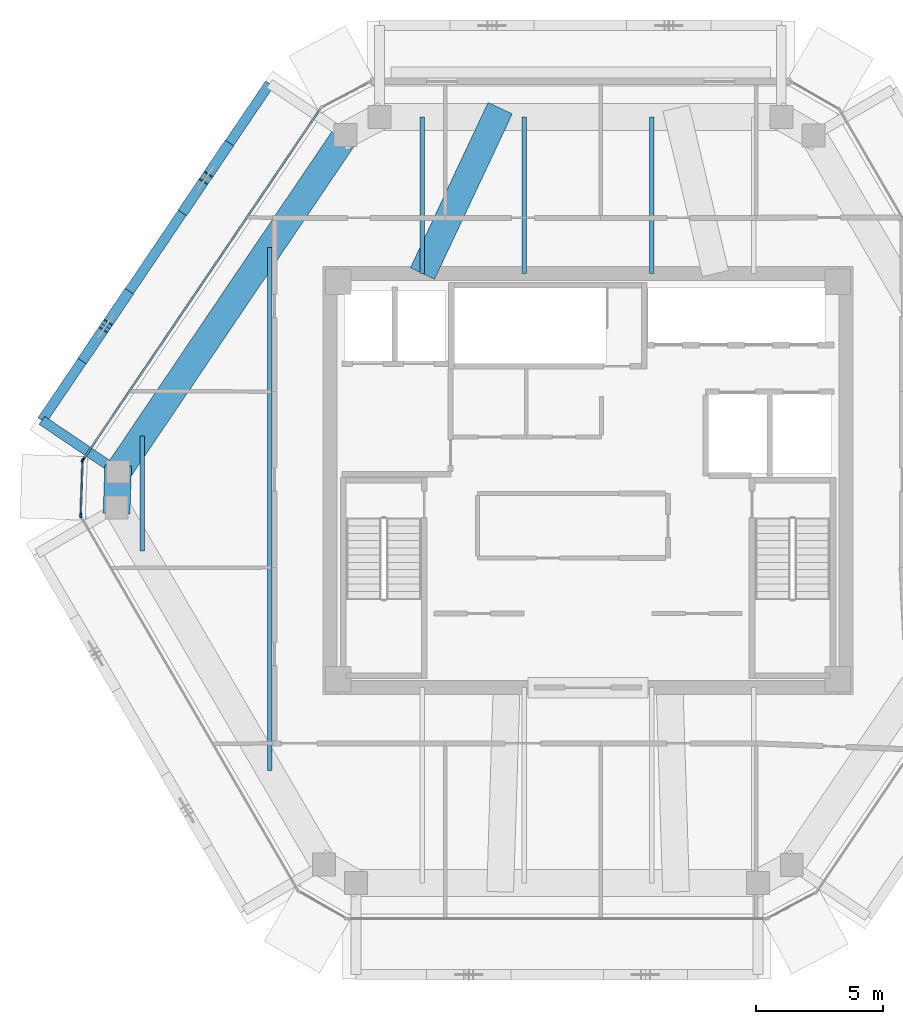
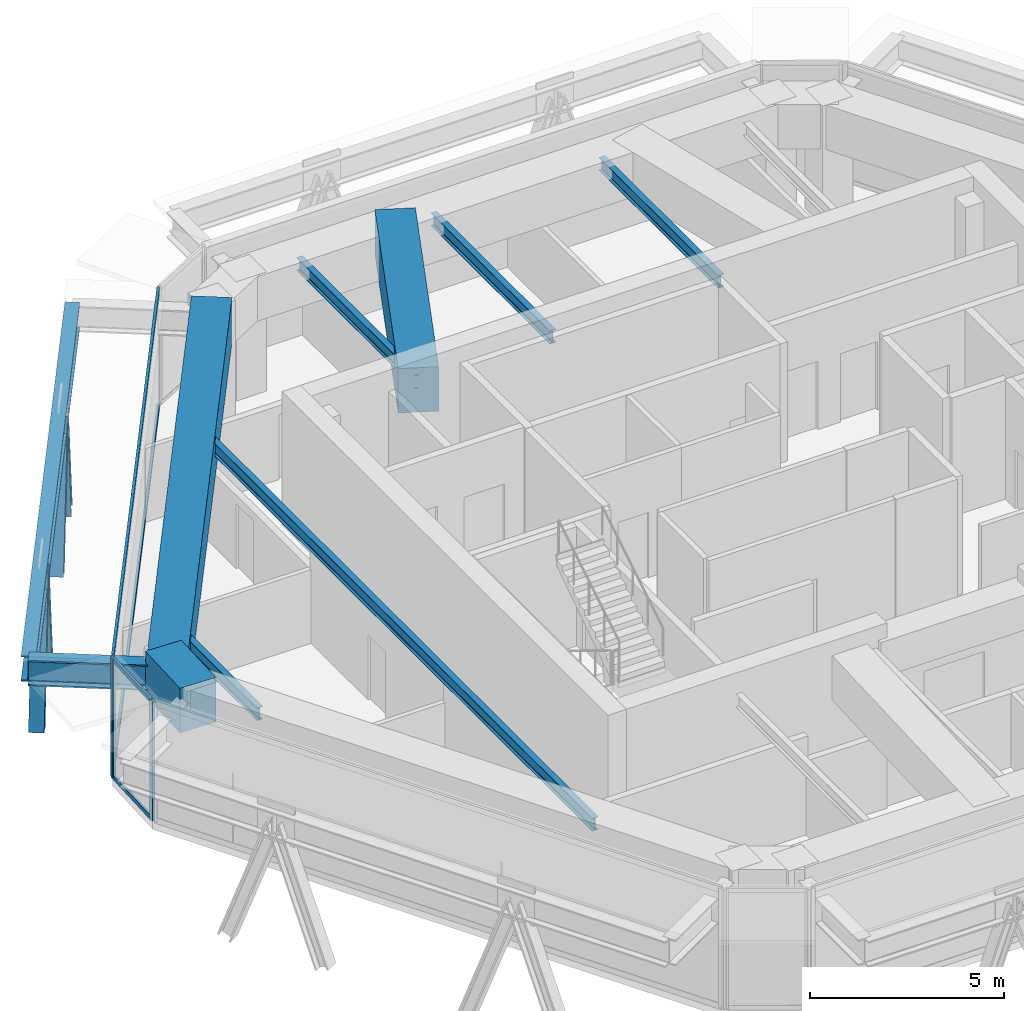
# One storey, part 4 of 13: 11 members, 10 beams, 2 elements without a shape of their own.
"""IFC4 building model written with IfcOpenShell, lengths in metres."""

from ifc_helpers import new_model, si_unit, direction, frame, origin, origin_2d, place, context, subcontext, project, spatial, rectangle, i_section, extrude, source, transform, mapped, material, layer, layer_set, material_profile, profile_set, type_object, type_shapes, element, aggregate, save


model = new_model("IFC4")

# Units and contexts
model_context = context("Model", 3, precision=1e-05, world=origin(), true_north=direction((0.0, 1.0)))
body_context = subcontext(model_context, "Body", "Model", "MODEL_VIEW")
ifc_project = project(units=[si_unit("LENGTHUNIT", "METRE"), si_unit("AREAUNIT", "SQUARE_METRE"), si_unit("VOLUMEUNIT", "CUBIC_METRE"), si_unit("PLANEANGLEUNIT", "RADIAN"), si_unit("MASSUNIT", "GRAM", prefix="KILO")], contexts=[model_context])

# Site, building, storey
site_placement = place(None, origin())
site = spatial("IfcSite", under=ifc_project, at=site_placement, CompositionType="ELEMENT")
building_placement = place(site_placement, origin())
building = spatial("IfcBuilding", under=site, at=building_placement, Name="Durnholm Broadcast Tower", CompositionType="ELEMENT")
storey_placement = place(building_placement, frame((0.0, 0.0, 268.300048828125)))
storey = spatial("IfcBuildingStorey", under=building, at=storey_placement, Name="L75", CompositionType="ELEMENT", Elevation=268.300048828125)

# Beams
ifc_material_1 = material(Name="Steel ASTM A992 Grade 50", Category="steel")
ifc_material_profile_1 = material_profile(ifc_material_1, i_section(OverallWidth=0.385009765625, OverallDepth=0.802978515625, WebThickness=0.023681640625, FlangeThickness=0.0419921875, FilletRadius=0.032958984375, at=origin_2d()), Name="W30X261")
ifc_profile_set_1 = profile_set([ifc_material_profile_1], Name="Steel ASTM A992 Grade 50")
beam_type_1 = type_object("IfcBeamType", Name="BM-EXO-TIE", PredefinedType="USERDEFINED", material=ifc_profile_set_1)
shared_shape_1 = source(origin(), body_context, "Body", "SweptSolid", [
    extrude(i_section(OverallWidth=0.385009765625, OverallDepth=0.802978515625, WebThickness=0.023681640625, FlangeThickness=0.0419921875, FilletRadius=0.032958984375, at=origin_2d()), origin(), (0.0, 0.0, 1.0), 3.4560546875),
])
beam_1_placement = place(storey_placement, frame((-18.565673828125, 0.426513671875, 2.99853515625), z_axis=(-0.828413564093, 0.56011692246, 0.0), x_axis=(-0.56011692246, -0.828413564093, 0.0)))
element("IfcBeam", 1, at=beam_1_placement, inside=storey, type_object=beam_type_1, Name="L75 exoskeleton stand-off tie bracket F5.2", ObjectType="GIRDER", PredefinedType="USERDEFINED", context=body_context, shape_type="MappedRepresentation", body=[
    mapped(shared_shape_1, transform((0.0, 0.0, 0.0), x_axis=(1.0, 0.0, 0.0), y_axis=(0.0, 1.0, 0.0), z_axis=(0.0, 0.0, 1.0), scale=1.0)),
])
shared_shape_2 = source(origin(), body_context, "Body", "SweptSolid", [
    extrude(i_section(OverallWidth=0.385009765625, OverallDepth=0.802978515625, WebThickness=0.023681640625, FlangeThickness=0.0419921875, FilletRadius=0.032958984375, at=origin_2d()), origin(), (0.0, 0.0, 1.0), 15.947021484375),
])
type_shapes(beam_type_1, [shared_shape_1, shared_shape_2])
beam_2_placement = place(storey_placement, frame((-12.497314453125, 15.573486328125, 2.99853515625), z_axis=(-0.560069315853, -0.828445750451, 0.0), x_axis=(0.828445750451, -0.560069315853, 0.0)))
element("IfcBeam", 2, at=beam_2_placement, inside=storey, type_object=beam_type_1, Name="L75 exoskeleton collector spandrel F5", PredefinedType="SPANDREL", context=body_context, shape_type="MappedRepresentation", body=[
    mapped(shared_shape_2, transform((0.0, 0.0, 0.0), x_axis=(1.0, 0.0, 0.0), y_axis=(0.0, 1.0, 0.0), z_axis=(0.0, 0.0, 1.0), scale=1.0)),
])
ifc_material_profile_2 = material_profile(ifc_material_1, i_section(OverallWidth=0.177734375, OverallDepth=0.40673828125, WebThickness=0.0078125, FlangeThickness=0.0126953125, FilletRadius=0.01904296875, at=origin_2d()), Name="W16X40")
ifc_profile_set_2 = profile_set([ifc_material_profile_2], Name="Steel ASTM A992 Grade 50")
beam_type_2 = type_object("IfcBeamType", Name="STL-BJ-W16X40", PredefinedType="JOIST", material=ifc_profile_set_2)
shared_shape_3 = source(origin(), body_context, "Body", "SweptSolid", [
    extrude(i_section(OverallWidth=0.177734375, OverallDepth=0.40673828125, WebThickness=0.0078125, FlangeThickness=0.0126953125, FilletRadius=0.01904296875, at=origin_2d()), origin(), (0.0, 0.0, 1.0), 6.136962890625),
])
for number, where, z_axis, x_axis, name in (
    (3, (-6.5, 8.125, 3.32666015625), (0.0, 1.0, 0.0), (-1.0, 0.0, 0.0), "L75 secondary floor joist 4.2"),
    (4, (-2.5, 8.125, 3.32666015625), (0.0, 1.0, 0.0), (-1.0, 0.0, 0.0), "L75 secondary floor joist 5.2"),
    (5, (2.5, 8.125, 3.32666015625), (0.0, 1.0, 0.0), (-1.0, 0.0, 0.0), "L75 secondary floor joist 6.2"),
):
    element("IfcBeam", number, at=place(storey_placement, frame(where, z_axis=z_axis, x_axis=x_axis)), inside=storey, type_object=beam_type_2, Name=name, PredefinedType="JOIST", context=body_context, shape_type="MappedRepresentation", body=[
        mapped(shared_shape_3, transform((0.0, 0.0, 0.0), x_axis=(1.0, 0.0, 0.0), y_axis=(0.0, 1.0, 0.0), z_axis=(0.0, 0.0, 1.0), scale=1.0)),
    ])
ifc_material_2 = material(Name="Concrete C70/85", Category="concrete")
ifc_material_profile_3 = material_profile(ifc_material_2, rectangle(XDim=1.050048828125, YDim=1.39990234375, at=origin_2d()), Name="RC1050X1400")
ifc_profile_set_3 = profile_set([ifc_material_profile_3], Name="Concrete C70/85")
beam_type_3 = type_object("IfcBeamType", Name="BM-TG-RC1400", PredefinedType="USERDEFINED", material=ifc_profile_set_3)
shared_shape_4 = source(origin(), body_context, "Body", "SweptSolid", [
    extrude(rectangle(XDim=1.050048828125, YDim=1.39990234375, at=origin_2d()), origin(), (0.0, 0.0, 1.0), 1.894775390625),
])
beam_3_placement = place(storey_placement, frame((-18.5029296875, -1.2978515625, 3.050048828125), z_axis=(0.034404581301, 0.999407987153, 0.0), x_axis=(-0.999407987153, 0.034404581301, 0.0)))
element("IfcBeam", 6, at=beam_3_placement, inside=storey, type_object=beam_type_3, Name="L75 perimeter transfer spandrel girder 02", PredefinedType="SPANDREL", context=body_context, shape_type="MappedRepresentation", body=[
    mapped(shared_shape_4, transform((0.0, 0.0, 0.0), x_axis=(1.0, 0.0, 0.0), y_axis=(0.0, 1.0, 0.0), z_axis=(0.0, 0.0, 1.0), scale=1.0)),
])
shared_shape_5 = source(origin(), body_context, "Body", "SweptSolid", [
    extrude(rectangle(XDim=1.050048828125, YDim=1.39990234375, at=origin_2d()), origin(), (0.0, 0.0, 1.0), 15.947265625),
])
beam_4_placement = place(storey_placement, frame((-18.4462890625, 0.345947265625, 3.050048828125), z_axis=(0.560062212489, 0.828450552623, 0.0), x_axis=(-0.828450552623, 0.560062212489, 0.0)))
element("IfcBeam", 7, at=beam_4_placement, inside=storey, type_object=beam_type_3, Name="L75 perimeter transfer spandrel girder 03", PredefinedType="SPANDREL", context=body_context, shape_type="MappedRepresentation", body=[
    mapped(shared_shape_5, transform((0.0, 0.0, 0.0), x_axis=(1.0, 0.0, 0.0), y_axis=(0.0, 1.0, 0.0), z_axis=(0.0, 0.0, 1.0), scale=1.0)),
])
shared_shape_6 = source(origin(), body_context, "Body", "SweptSolid", [
    extrude(rectangle(XDim=1.050048828125, YDim=1.39990234375, at=origin_2d()), origin(), (0.0, 0.0, 1.0), 7.168212890625),
])
type_shapes(beam_type_3, [shared_shape_4, shared_shape_5, shared_shape_6])
beam_5_placement = place(storey_placement, frame((-6.5, 8.125, 3.050048828125), z_axis=(0.425490294235, 0.904962987924, 0.0), x_axis=(-0.904962987924, 0.425490294235, 0.0)))
element("IfcBeam", 8, at=beam_5_placement, inside=storey, type_object=beam_type_3, Name="L75 radial setback transfer girder 14", ObjectType="GIRDER", PredefinedType="USERDEFINED", context=body_context, shape_type="MappedRepresentation", body=[
    mapped(shared_shape_6, transform((0.0, 0.0, 0.0), x_axis=(1.0, 0.0, 0.0), y_axis=(0.0, 1.0, 0.0), z_axis=(0.0, 0.0, 1.0), scale=1.0)),
])
shared_shape_7 = source(origin(), body_context, "Body", "SweptSolid", [
    extrude(i_section(OverallWidth=0.177734375, OverallDepth=0.40673828125, WebThickness=0.0078125, FlangeThickness=0.0126953125, FilletRadius=0.01904296875, at=origin_2d()), origin(), (0.0, 0.0, 1.0), 4.507080078125),
])
beam_6_placement = place(storey_placement, frame((-17.5, -2.76123046875, 3.32666015625), z_axis=(0.0, 1.0, 0.0), x_axis=(-1.0, 0.0, 0.0)))
element("IfcBeam", 9, at=beam_6_placement, inside=storey, type_object=beam_type_2, Name="L75 secondary floor joist 2.1", PredefinedType="JOIST", context=body_context, shape_type="MappedRepresentation", body=[
    mapped(shared_shape_7, transform((0.0, 0.0, 0.0), x_axis=(1.0, 0.0, 0.0), y_axis=(0.0, 1.0, 0.0), z_axis=(0.0, 0.0, 1.0), scale=1.0)),
])
shared_shape_8 = source(origin(), body_context, "Body", "SweptSolid", [
    extrude(i_section(OverallWidth=0.177734375, OverallDepth=0.40673828125, WebThickness=0.0078125, FlangeThickness=0.0126953125, FilletRadius=0.01904296875, at=origin_2d()), origin(), (0.0, 0.0, 1.0), 20.5185546875),
])
type_shapes(beam_type_2, [shared_shape_3, shared_shape_7, shared_shape_8])
beam_7_placement = place(storey_placement, frame((-12.5, -11.376708984375, 3.32666015625), z_axis=(0.0, 1.0, 0.0), x_axis=(-1.0, 0.0, 0.0)))
element("IfcBeam", 10, at=beam_7_placement, inside=storey, type_object=beam_type_2, Name="L75 secondary floor joist 3.1", PredefinedType="JOIST", context=body_context, shape_type="MappedRepresentation", body=[
    mapped(shared_shape_8, transform((0.0, 0.0, 0.0), x_axis=(1.0, 0.0, 0.0), y_axis=(0.0, 1.0, 0.0), z_axis=(0.0, 0.0, 1.0), scale=1.0)),
])

# Members
ifc_material_3 = material(Name="Steel ASTM A913 Grade 65", Category="steel")
ifc_material_profile_4 = material_profile(ifc_material_3, i_section(OverallWidth=0.40625, OverallDepth=0.416015625, WebThickness=0.02978515625, FlangeThickness=0.048095703125, FilletRadius=0.030517578125, at=origin_2d()), Name="W14X257")
ifc_profile_set_4 = profile_set([ifc_material_profile_4], Name="Steel ASTM A913 Grade 65")
member_type_1 = type_object("IfcMemberType", Name="STL-DG-W14X257", PredefinedType="BRACE", material=ifc_profile_set_4)
shared_shape_9 = source(origin(), body_context, "Body", "SweptSolid", [
    extrude(i_section(OverallWidth=0.40625, OverallDepth=0.416015625, WebThickness=0.02978515625, FlangeThickness=0.048095703125, FilletRadius=0.030517578125, at=origin_2d()), origin(), (0.0, 0.0, 1.0), 4.3046875),
])
member_1_placement = place(storey_placement, frame((-14.181396484375, 13.08251953125, -1.051513671875), z_axis=(-0.189715206284, -0.280687759611, 0.940862647845), x_axis=(0.828505003222, -0.559981660089, 0.0)))
element("IfcMember", 11, at=member_1_placement, inside=storey, type_object=member_type_1, Name="L75 stand-off diagrid brace F5.D1.1", PredefinedType="BRACE", context=body_context, shape_type="MappedRepresentation", body=[
    mapped(shared_shape_9, transform((0.0, 0.0, 0.0), x_axis=(1.0, 0.0, 0.0), y_axis=(0.0, 1.0, 0.0), z_axis=(0.0, 0.0, 1.0), scale=1.0)),
])
shared_shape_10 = source(origin(), body_context, "Body", "SweptSolid", [
    extrude(i_section(OverallWidth=0.40625, OverallDepth=0.416015625, WebThickness=0.02978515625, FlangeThickness=0.048095703125, FilletRadius=0.030517578125, at=origin_2d()), origin(), (0.0, 0.0, 1.0), 4.304443359375),
])
type_shapes(member_type_1, [shared_shape_9, shared_shape_10])
for number, where, z_axis, x_axis, name in (
    (12, (-15.814697265625, 10.666259765625, -1.051513671875), (0.189718226222, 0.280635510717, 0.940877624754), (-0.828452496411, 0.560059337206, 0.0), "L75 stand-off diagrid brace F5.D1.2"),
    (13, (-18.111328125, 7.269287109375, -1.051513671875), (-0.189718226222, -0.280635510717, 0.940877624754), (0.828452496411, -0.560059337206, 0.0), "L75 stand-off diagrid brace F5.D2.1"),
    (14, (-19.74462890625, 4.853271484375, -1.051513671875), (0.189718226222, 0.280635510717, 0.940877624754), (-0.828452496411, 0.560059337206, 0.0), "L75 stand-off diagrid brace F5.D2.2"),
):
    element("IfcMember", number, at=place(storey_placement, frame(where, z_axis=z_axis, x_axis=x_axis)), inside=storey, type_object=member_type_1, Name=name, PredefinedType="BRACE", context=body_context, shape_type="MappedRepresentation", body=[
        mapped(shared_shape_10, transform((0.0, 0.0, 0.0), x_axis=(1.0, 0.0, 0.0), y_axis=(0.0, 1.0, 0.0), z_axis=(0.0, 0.0, 1.0), scale=1.0)),
    ])

# Curtain wall, members
ifc_material_4 = material(Name="Aluminium and Solar Control IGU", Category="aluminium")
ifc_layer_1 = layer(ifc_material_4, 0.1650390625)
ifc_layer_set_1 = layer_set([ifc_layer_1], Name="Aluminium and Solar Control IGU")
curtain_wall_type_1 = type_object("IfcCurtainWallType", Name="CW-SYS-5", PredefinedType="NOTDEFINED", material=ifc_layer_set_1)
curtain_wall_1_placement = place(storey_placement, origin())
curtain_wall_1 = element("IfcCurtainWall", 15, at=curtain_wall_1_placement, inside=storey, type_object=curtain_wall_type_1, Name="L75 curtain wall CW-CORNER CW-L75-CRN-01", PredefinedType="NOTDEFINED")
ifc_material_5 = material(Name="Aluminium 6063-T6", Category="aluminium")
ifc_material_profile_5 = material_profile(ifc_material_5, rectangle(XDim=0.06494140625, YDim=0.1298828125, at=origin_2d()), Name="CWT65X130")
ifc_profile_set_5 = profile_set([ifc_material_profile_5], Name="Aluminium 6063-T6")
member_type_2 = type_object("IfcMemberType", Name="CW-SYS-5-TRN", PredefinedType="USERDEFINED", material=ifc_profile_set_5)
shared_shape_11 = source(origin(), body_context, "Body", "SweptSolid", [
    extrude(rectangle(XDim=0.06494140625, YDim=0.1298828125, at=origin_2d()), origin(), (0.0, 0.0, 1.0), 2.070068359375),
])
type_shapes(member_type_2, [shared_shape_11])
member_2_placement = place(storey_placement, frame((-19.905029296875, -1.33740234375, 0.032470703125), z_axis=(0.034320104965, 0.999410891673, 0.0), x_axis=(-0.999410891673, 0.034320104965, 0.0)))
member_2 = element("IfcMember", 16, at=member_2_placement, type_object=member_type_2, Name="CW-CORNER transom 1.1", ObjectType="TRANSOM", PredefinedType="USERDEFINED", context=body_context, shape_type="MappedRepresentation", body=[
    mapped(shared_shape_11, transform((0.0, 0.0, 0.0), x_axis=(1.0, 0.0, 0.0), y_axis=(0.0, 1.0, 0.0), z_axis=(0.0, 0.0, 1.0), scale=1.0)),
])
member_3_placement = place(storey_placement, frame((-19.905029296875, -1.33740234375, 3.717529296875), z_axis=(0.034320104965, 0.999410891673, 0.0), x_axis=(-0.999410891673, 0.034320104965, 0.0)))
member_3 = element("IfcMember", 17, at=member_3_placement, type_object=member_type_2, Name="CW-CORNER transom 1.2", ObjectType="TRANSOM", PredefinedType="USERDEFINED", context=body_context, shape_type="MappedRepresentation", body=[
    mapped(shared_shape_11, transform((0.0, 0.0, 0.0), x_axis=(1.0, 0.0, 0.0), y_axis=(0.0, 1.0, 0.0), z_axis=(0.0, 0.0, 1.0), scale=1.0)),
])
ifc_material_profile_6 = material_profile(ifc_material_5, rectangle(XDim=0.06494140625, YDim=0.1650390625, at=origin_2d()), Name="CWM65X165")
ifc_profile_set_6 = profile_set([ifc_material_profile_6], Name="Aluminium 6063-T6")
member_type_3 = type_object("IfcMemberType", Name="CW-SYS-5-MUL", PredefinedType="MULLION", material=ifc_profile_set_6)
shared_shape_12 = source(origin(), body_context, "Body", "SweptSolid", [
    extrude(rectangle(XDim=0.06494140625, YDim=0.1650390625, at=origin_2d()), origin(), (0.0, 0.0, 1.0), 3.75),
])
type_shapes(member_type_3, [shared_shape_12])
member_4_placement = place(storey_placement, frame((-19.90625, -1.369873046875, 0.0), z_axis=(0.0, 0.0, 1.0), x_axis=(-0.999410955514, 0.034318245849, 0.0)))
member_4 = element("IfcMember", 18, at=member_4_placement, type_object=member_type_3, Name="CW-CORNER mullion 1", PredefinedType="MULLION", context=body_context, shape_type="MappedRepresentation", body=[
    mapped(shared_shape_12, transform((0.0, 0.0, 0.0), x_axis=(1.0, 0.0, 0.0), y_axis=(0.0, 1.0, 0.0), z_axis=(0.0, 0.0, 1.0), scale=1.0)),
])
member_5_placement = place(storey_placement, frame((-19.8330078125, 0.763916015625, 0.0), z_axis=(0.0, 0.0, 1.0), x_axis=(-0.999410955514, 0.034318245849, 0.0)))
member_5 = element("IfcMember", 19, at=member_5_placement, type_object=member_type_3, Name="CW-CORNER mullion 2", PredefinedType="MULLION", context=body_context, shape_type="MappedRepresentation", body=[
    mapped(shared_shape_12, transform((0.0, 0.0, 0.0), x_axis=(1.0, 0.0, 0.0), y_axis=(0.0, 1.0, 0.0), z_axis=(0.0, 0.0, 1.0), scale=1.0)),
])
aggregate(curtain_wall_1, [member_4, member_5, member_2, member_3])

ifc_layer_2 = layer(ifc_material_4, 0.219970703125)
ifc_layer_set_2 = layer_set([ifc_layer_2], Name="Aluminium and Solar Control IGU")
curtain_wall_type_2 = type_object("IfcCurtainWallType", Name="CW-SYS-6", PredefinedType="NOTDEFINED", material=ifc_layer_set_2)
curtain_wall_2_placement = place(storey_placement, origin())
curtain_wall_2 = element("IfcCurtainWall", 20, at=curtain_wall_2_placement, inside=storey, type_object=curtain_wall_type_2, Name="L75 curtain wall CW-AMENITY CW-L75-F02", PredefinedType="NOTDEFINED")
ifc_material_profile_7 = material_profile(ifc_material_5, rectangle(XDim=0.074951171875, YDim=0.219970703125, at=origin_2d()), Name="CWM75X220")
ifc_profile_set_7 = profile_set([ifc_material_profile_7], Name="Aluminium 6063-T6")
member_type_4 = type_object("IfcMemberType", Name="CW-SYS-6-MUL", PredefinedType="MULLION", material=ifc_profile_set_7)
shared_shape_13 = source(origin(), body_context, "Body", "SweptSolid", [
    extrude(rectangle(XDim=0.074951171875, YDim=0.219970703125, at=origin_2d()), origin(), (0.0, 0.0, 1.0), 3.75),
])
type_shapes(member_type_4, [shared_shape_13])
member_6_placement = place(storey_placement, frame((-19.810791015625, 0.827392578125, 0.0), z_axis=(0.0, 0.0, 1.0), x_axis=(-0.828443431662, 0.560072745753, 0.0)))
member_6 = element("IfcMember", 21, at=member_6_placement, type_object=member_type_4, Name="CW-AMENITY mullion 1", PredefinedType="MULLION", context=body_context, shape_type="MappedRepresentation", body=[
    mapped(shared_shape_13, transform((0.0, 0.0, 0.0), x_axis=(1.0, 0.0, 0.0), y_axis=(0.0, 1.0, 0.0), z_axis=(0.0, 0.0, 1.0), scale=1.0)),
])
ifc_material_profile_8 = material_profile(ifc_material_5, rectangle(XDim=0.074951171875, YDim=0.179931640625, at=origin_2d()), Name="CWT75X180")
ifc_profile_set_8 = profile_set([ifc_material_profile_8], Name="Aluminium 6063-T6")
member_type_5 = type_object("IfcMemberType", Name="CW-SYS-6-TRN", PredefinedType="USERDEFINED", material=ifc_profile_set_8)
shared_shape_14 = source(origin(), body_context, "Body", "SweptSolid", [
    extrude(rectangle(XDim=0.074951171875, YDim=0.179931640625, at=origin_2d()), origin(), (0.0, 0.0, 1.0), 16.54833984375),
])
type_shapes(member_type_5, [shared_shape_14])
member_7_placement = place(storey_placement, frame((-19.789794921875, 0.858642578125, 0.037353515625), z_axis=(0.560071193927, 0.828444480779, 0.0), x_axis=(-0.828444480779, 0.560071193927, 0.0)))
member_7 = element("IfcMember", 22, at=member_7_placement, type_object=member_type_5, Name="CW-AMENITY transom 1.1", ObjectType="TRANSOM", PredefinedType="USERDEFINED", context=body_context, shape_type="MappedRepresentation", body=[
    mapped(shared_shape_14, transform((0.0, 0.0, 0.0), x_axis=(1.0, 0.0, 0.0), y_axis=(0.0, 1.0, 0.0), z_axis=(0.0, 0.0, 1.0), scale=1.0)),
])
member_8_placement = place(storey_placement, frame((-19.789794921875, 0.858642578125, 3.71240234375), z_axis=(0.560071193927, 0.828444480779, 0.0), x_axis=(-0.828444480779, 0.560071193927, 0.0)))
member_8 = element("IfcMember", 23, at=member_8_placement, type_object=member_type_5, Name="CW-AMENITY transom 1.2", ObjectType="TRANSOM", PredefinedType="USERDEFINED", context=body_context, shape_type="MappedRepresentation", body=[
    mapped(shared_shape_14, transform((0.0, 0.0, 0.0), x_axis=(1.0, 0.0, 0.0), y_axis=(0.0, 1.0, 0.0), z_axis=(0.0, 0.0, 1.0), scale=1.0)),
])
aggregate(curtain_wall_2, [member_6, member_7, member_8])

save(model, "model.ifc")
